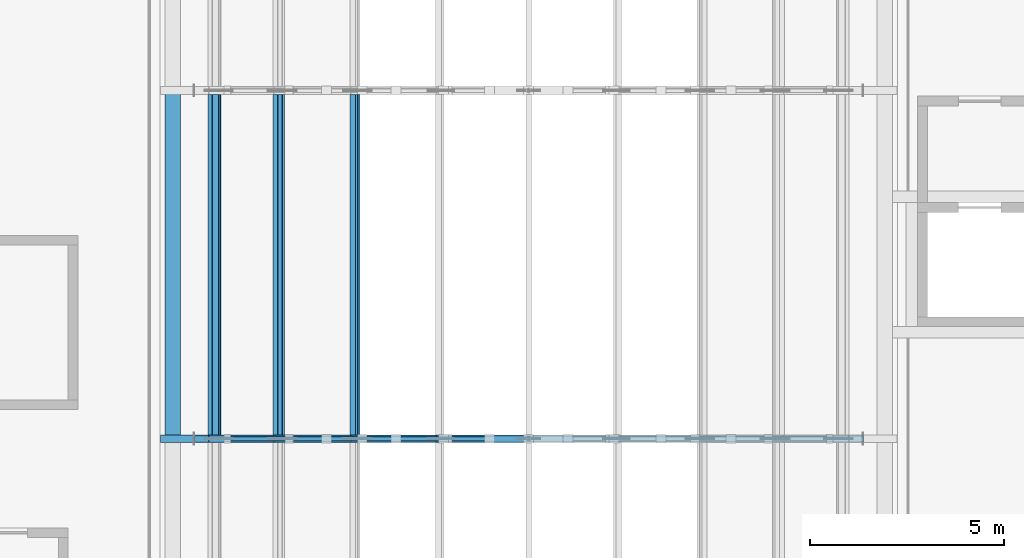
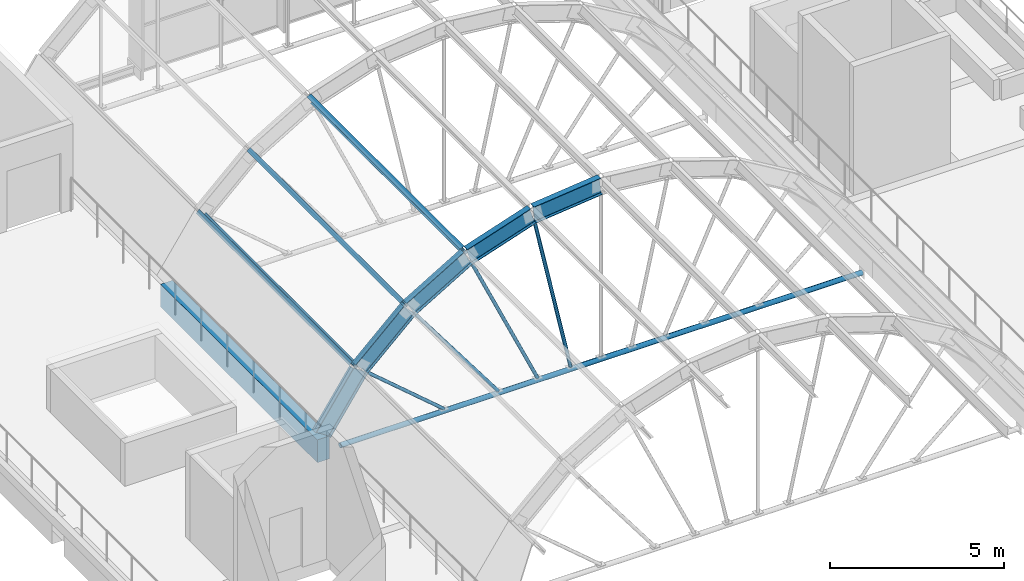
# One storey, part 23 of 79: 8 members, 6 beams.
"""IFC4 building model written with IfcOpenShell, lengths in metres."""

from ifc_helpers import new_model, si_unit, direction, frame, origin, origin_2d, place, context, subcontext, project, spatial, rectangle, hollow_circle, i_section, extrude, material, material_profile, profile_set, type_object, element, save


model = new_model("IFC4")

# Units and contexts
model_context = context("Model", 3, precision=1e-05, world=origin(), true_north=direction((0.0, 1.0)))
body_context = subcontext(model_context, "Body", "Model", "MODEL_VIEW")
ifc_project = project(units=[si_unit("LENGTHUNIT", "METRE"), si_unit("AREAUNIT", "SQUARE_METRE"), si_unit("VOLUMEUNIT", "CUBIC_METRE"), si_unit("PLANEANGLEUNIT", "RADIAN"), si_unit("MASSUNIT", "GRAM", prefix="KILO")], contexts=[model_context])

# Site, building, storey
site_placement = place(None, origin())
site = spatial("IfcSite", under=ifc_project, at=site_placement, CompositionType="ELEMENT")
building_placement = place(site_placement, origin())
building = spatial("IfcBuilding", under=site, at=building_placement, Name="Guidao Yard Department Store", CompositionType="ELEMENT")
storey_placement = place(building_placement, frame((0.0, 0.0, 15.0)))
storey = spatial("IfcBuildingStorey", under=building, at=storey_placement, Name="L03", CompositionType="ELEMENT", Elevation=15.0)

# Members
ifc_material_1 = material(Name="Steel Q355B", Category="steel")
ifc_material_profile_1 = material_profile(ifc_material_1, hollow_circle(Radius=0.056884765625, WallThickness=0.006103515625, at=origin_2d()), Name="CHS 114x6")
ifc_profile_set_1 = profile_set([ifc_material_profile_1], Name="Steel Q355B")
member_type_1 = type_object("IfcMemberType", Name="CHS 114x6", PredefinedType="BRACE", material=ifc_profile_set_1)
member_1_placement = place(storey_placement, frame((84.77490234375, 90.0, -0.360107421875), z_axis=(-0.760338516722, 0.0, 0.649527012516), x_axis=(0.0, -1.0, 0.0)))
element("IfcMember", 1, at=member_1_placement, inside=storey, type_object=member_type_1, Name="Roof web strut C06-01", PredefinedType="BRACE", context=body_context, shape_type="SweptSolid", body=[
    extrude(hollow_circle(Radius=0.056884765625, WallThickness=0.006103515625, at=origin_2d()), origin(), (0.0, 0.0, 1.0), 3.357666015625),
])
member_2_placement = place(storey_placement, frame((86.575927734375, 90.0, -0.360107421875), z_axis=(-0.600934318152, 0.0, 0.799298408147), x_axis=(0.0, -1.0, 0.0)))
element("IfcMember", 2, at=member_2_placement, inside=storey, type_object=member_type_1, Name="Roof web strut C06-02", PredefinedType="BRACE", context=body_context, shape_type="SweptSolid", body=[
    extrude(hollow_circle(Radius=0.056884765625, WallThickness=0.006103515625, at=origin_2d()), origin(), (0.0, 0.0, 1.0), 4.596923828125),
])
member_3_placement = place(storey_placement, frame((87.890869140625, 90.0, -0.360107421875), z_axis=(-0.415142377249, 0.0, 0.909756454559), x_axis=(0.0, -1.0, 0.0)))
element("IfcMember", 3, at=member_3_placement, inside=storey, type_object=member_type_1, Name="Roof web strut C06-03", PredefinedType="BRACE", context=body_context, shape_type="SweptSolid", body=[
    extrude(hollow_circle(Radius=0.056884765625, WallThickness=0.006103515625, at=origin_2d()), origin(), (0.0, 0.0, 1.0), 5.271728515625),
])
member_4_placement = place(storey_placement, frame((88.98876953125, 90.0, -0.360107421875), z_axis=(-0.211899287995, 0.0, 0.977291508071), x_axis=(0.0, -1.0, 0.0)))
element("IfcMember", 4, at=member_4_placement, inside=storey, type_object=member_type_1, Name="Roof web strut C06-04", PredefinedType="BRACE", context=body_context, shape_type="SweptSolid", body=[
    extrude(hollow_circle(Radius=0.056884765625, WallThickness=0.006103515625, at=origin_2d()), origin(), (0.0, 0.0, 1.0), 5.619140625),
])
ifc_material_2 = material(Name="Steel Q355B", Category="steel")
ifc_material_profile_2 = material_profile(ifc_material_2, hollow_circle(Radius=0.083984375, WallThickness=0.008056640625, at=origin_2d()), Name="CHS 168x8")
ifc_profile_set_2 = profile_set([ifc_material_profile_2], Name="Steel Q355B")
member_type_2 = type_object("IfcMemberType", Name="CHS 168x8", PredefinedType="BRACE", material=ifc_profile_set_2)
member_5_placement = place(storey_placement, frame((81.35009765625, 90.0, -0.449951171875), z_axis=(1.0, 0.0, 0.0), x_axis=(0.0, 1.0, 0.0)))
element("IfcMember", 5, at=member_5_placement, inside=storey, type_object=member_type_2, Name="Roof tie rod C06", PredefinedType="BRACE", context=body_context, shape_type="SweptSolid", body=[
    extrude(hollow_circle(Radius=0.083984375, WallThickness=0.008056640625, at=origin_2d()), origin(), (0.0, 0.0, 1.0), 17.2998046875),
])
ifc_material_3 = material(Name="Steel Q355B", Category="steel")
ifc_material_profile_3 = material_profile(ifc_material_3, i_section(OverallWidth=0.14990234375, OverallDepth=0.300048828125, WebThickness=0.006591796875, FlangeThickness=0.009033203125, FilletRadius=0.012939453125, at=origin_2d()), Name="HN 300x150x6.5x9")
ifc_profile_set_3 = profile_set([ifc_material_profile_3], Name="Steel Q355B")
member_type_3 = type_object("IfcMemberType", Name="HN 300x150x6.5x9", PredefinedType="PURLIN", material=ifc_profile_set_3)
for number, where, z_axis, x_axis, name in (
    (6, (81.88330078125, 90.10009765625, 2.110107421875), (0.0, 1.0, 0.0), (-0.649536869322, 0.0, -0.760330096334), "Roof purlin C06-01"),
    (7, (83.5458984375, 90.10009765625, 3.670166015625), (0.0, 1.0, 0.0), (-0.79928350319, 0.0, -0.600954142617), "Roof purlin C06-02"),
    (8, (85.517578125, 90.10009765625, 4.841064453125), (0.0, 1.0, 0.0), (-0.909750741633, 0.0, -0.415154896513), "Roof purlin C06-03"),
):
    element("IfcMember", number, at=place(storey_placement, frame(where, z_axis=z_axis, x_axis=x_axis)), inside=storey, type_object=member_type_3, Name=name, PredefinedType="PURLIN", context=body_context, shape_type="SweptSolid", body=[
        extrude(i_section(OverallWidth=0.14990234375, OverallDepth=0.300048828125, WebThickness=0.006591796875, FlangeThickness=0.009033203125, FilletRadius=0.012939453125, at=origin_2d()), origin(), (0.0, 0.0, 1.0), 8.7998046875),
    ])

# Beams
ifc_material_4 = material(Name="Steel Q355B", Category="steel")
ifc_material_profile_4 = material_profile(ifc_material_4, i_section(OverallWidth=0.199951171875, OverallDepth=0.60009765625, WebThickness=0.010986328125, FlangeThickness=0.01708984375, FilletRadius=0.012939453125, at=origin_2d()), Name="HN 600x200x11x17")
ifc_profile_set_4 = profile_set([ifc_material_profile_4], Name="Steel Q355B")
beam_type_1 = type_object("IfcBeamType", Name="HN 600x200x11x17", PredefinedType="BEAM", material=ifc_profile_set_4)
beam_1_placement = place(storey_placement, frame((80.73681640625, 90.0, 0.168701171875), z_axis=(0.561973245007, 0.0, 0.827155409761), x_axis=(0.0, 1.0, 0.0)))
element("IfcBeam", 9, at=beam_1_placement, inside=storey, type_object=beam_type_1, Name="Roof rib C06-01", PredefinedType="BEAM", context=body_context, shape_type="SweptSolid", body=[
    extrude(i_section(OverallWidth=0.199951171875, OverallDepth=0.60009765625, WebThickness=0.010986328125, FlangeThickness=0.01708984375, FilletRadius=0.012939453125, at=origin_2d()), origin(), (0.0, 0.0, 1.0), 2.201171875),
])
beam_2_placement = place(storey_placement, frame((82.016845703125, 90.0, 2.03955078125), z_axis=(0.729181254966, 0.0, 0.684320610099), x_axis=(0.0, 1.0, 0.0)))
element("IfcBeam", 10, at=beam_2_placement, inside=storey, type_object=beam_type_1, Name="Roof rib C06-02", PredefinedType="BEAM", context=body_context, shape_type="SweptSolid", body=[
    extrude(i_section(OverallWidth=0.199951171875, OverallDepth=0.60009765625, WebThickness=0.010986328125, FlangeThickness=0.01708984375, FilletRadius=0.012939453125, at=origin_2d()), origin(), (0.0, 0.0, 1.0), 2.182373046875),
])
beam_3_placement = place(storey_placement, frame((83.660400390625, 90.0, 3.572265625), z_axis=(0.859895907255, 0.0, 0.510469419933), x_axis=(0.0, 1.0, 0.0)))
element("IfcBeam", 11, at=beam_3_placement, inside=storey, type_object=beam_type_1, Name="Roof rib C06-03", PredefinedType="BEAM", context=body_context, shape_type="SweptSolid", body=[
    extrude(i_section(OverallWidth=0.199951171875, OverallDepth=0.60009765625, WebThickness=0.010986328125, FlangeThickness=0.01708984375, FilletRadius=0.012939453125, at=origin_2d()), origin(), (0.0, 0.0, 1.0), 2.19677734375),
])
beam_4_placement = place(storey_placement, frame((85.60791015625, 90.0, 4.720458984375), z_axis=(0.949091595418, 0.0, 0.31500022779), x_axis=(0.0, 1.0, 0.0)))
element("IfcBeam", 12, at=beam_4_placement, inside=storey, type_object=beam_type_1, Name="Roof rib C06-04", PredefinedType="BEAM", context=body_context, shape_type="SweptSolid", body=[
    extrude(i_section(OverallWidth=0.199951171875, OverallDepth=0.60009765625, WebThickness=0.010986328125, FlangeThickness=0.01708984375, FilletRadius=0.012939453125, at=origin_2d()), origin(), (0.0, 0.0, 1.0), 2.2080078125),
])
beam_5_placement = place(storey_placement, frame((87.766357421875, 90.0, 5.429443359375), z_axis=(0.994311656362, 0.0, 0.10650976492), x_axis=(0.0, 1.0, 0.0)))
element("IfcBeam", 13, at=beam_5_placement, inside=storey, type_object=beam_type_1, Name="Roof rib C06-05", PredefinedType="BEAM", context=body_context, shape_type="SweptSolid", body=[
    extrude(i_section(OverallWidth=0.199951171875, OverallDepth=0.60009765625, WebThickness=0.010986328125, FlangeThickness=0.01708984375, FilletRadius=0.012939453125, at=origin_2d()), origin(), (0.0, 0.0, 1.0), 2.21435546875),
])
ifc_material_5 = material(Name="Concrete C40", Category="concrete")
ifc_material_profile_5 = material_profile(ifc_material_5, rectangle(XDim=0.39990234375, YDim=0.800048828125, at=origin_2d()), Name="Vault bearing beam 400 x 800 C40")
ifc_profile_set_5 = profile_set([ifc_material_profile_5], Name="Concrete C40")
beam_type_2 = type_object("IfcBeamType", Name="Vault bearing beam 400 x 800 C40", PredefinedType="BEAM", material=ifc_profile_set_5)
beam_6_placement = place(storey_placement, frame((80.800048828125, 90.0, -0.39990234375), z_axis=(0.0, 1.0, 0.0), x_axis=(-1.0, 0.0, 0.0)))
element("IfcBeam", 14, at=beam_6_placement, inside=storey, type_object=beam_type_2, Name="Beam VB06", PredefinedType="BEAM", context=body_context, shape_type="SweptSolid", body=[
    extrude(rectangle(XDim=0.39990234375, YDim=0.800048828125, at=origin_2d()), origin(), (0.0, 0.0, 1.0), 9.0),
])

save(model, "model.ifc")
